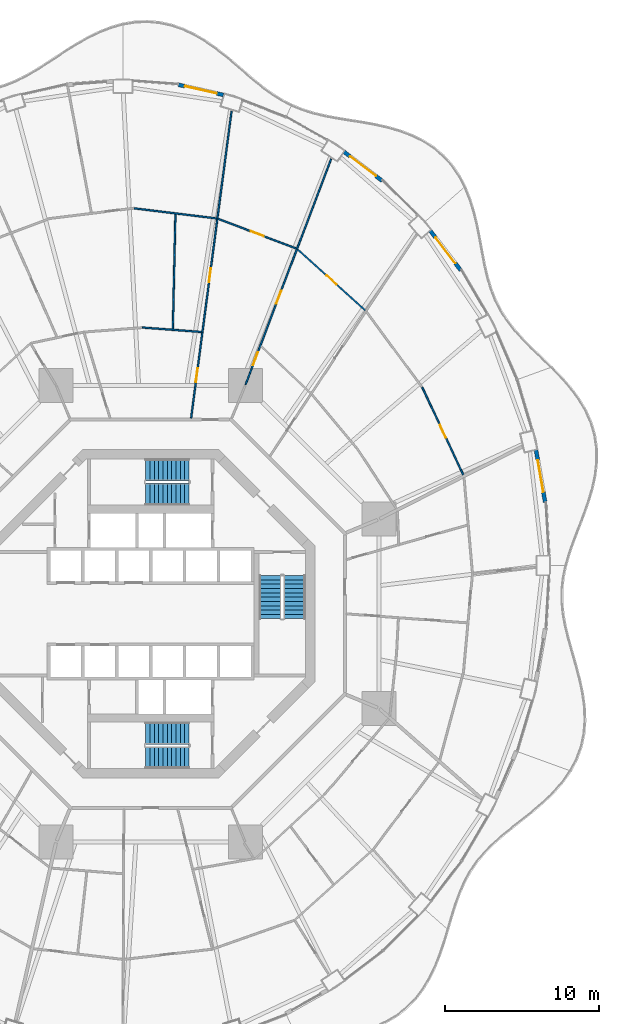
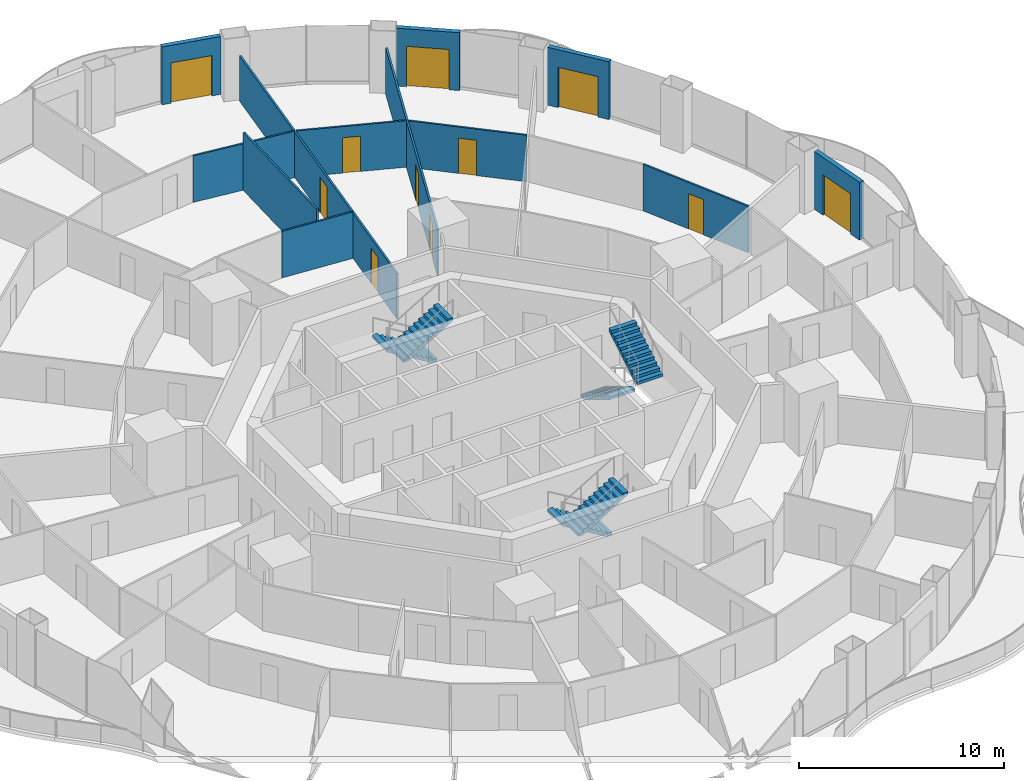
# One storey, part 19 of 22: 12 walls, 11 doors, 6 stair flights, 11 openings, 3 elements without a shape of their own.
"""IFC4 building model written with IfcOpenShell, lengths in metres."""

from ifc_helpers import new_model, si_unit, direction, frame, frame_2d, origin, place, context, subcontext, project, spatial, polyline, rectangle, outline, extrude, material, layer, layer_set, type_object, element, fill, aggregate, save


model = new_model("IFC4")

# Units and contexts
model_context = context("Model", 3, precision=1e-05, world=origin(), true_north=direction((0.0, 1.0)))
body_context = subcontext(model_context, "Body", "Model", "MODEL_VIEW")
ifc_project = project(units=[si_unit("LENGTHUNIT", "METRE"), si_unit("AREAUNIT", "SQUARE_METRE"), si_unit("VOLUMEUNIT", "CUBIC_METRE"), si_unit("PLANEANGLEUNIT", "RADIAN"), si_unit("MASSUNIT", "GRAM", prefix="KILO")], contexts=[model_context])

# Site, building, storey
site_placement = place(None, origin())
site = spatial("IfcSite", under=ifc_project, at=site_placement, CompositionType="ELEMENT")
building_placement = place(site_placement, origin())
building = spatial("IfcBuilding", under=site, at=building_placement, Name="Nagisa Residences", CompositionType="ELEMENT")
storey_placement = place(building_placement, frame((0.0, 0.0, 77.0)))
storey = spatial("IfcBuildingStorey", under=building, at=storey_placement, Name="L18", CompositionType="ELEMENT", Elevation=77.0)

# Wall, opening, door
ifc_material_1 = material(Name="Gypsum board on steel studs", Category="steel")
ifc_layer_1 = layer(ifc_material_1, 0.10009765625)
ifc_layer_set_1 = layer_set([ifc_layer_1], Name="Apartment partition 100")
wall_type_1 = type_object("IfcWallType", Name="Apartment partition 100", PredefinedType="PARTITIONING", material=ifc_layer_set_1)
wall_1_placement = place(storey_placement, frame((20.23095703125, 8.995361328125, 0.0), z_axis=(0.0, 0.0, 1.0), x_axis=(-0.424587886407, 0.905386727712, 0.0)))
wall_1 = element("IfcWall", 1, at=wall_1_placement, inside=storey, type_object=wall_type_1, Name="wall:L18:u22", PredefinedType="PARTITIONING", context=body_context, shape_type="SweptSolid", body=[
    extrude(rectangle(XDim=6.25439453125, YDim=0.10009765625, at=frame_2d((3.127197265625, 0.0))), origin(), (0.0, 0.0, 1.0), 2.761962890625),
])
opening_1_placement = place(wall_1_placement, frame((2.652099609375, 0.0, 0.0)))
opening_1 = element("IfcOpeningElement", 2, at=opening_1_placement, cuts=wall_1, Name="Opening L18-U21", PredefinedType="OPENING", context=body_context, shape_type="SweptSolid", body=[
    extrude(rectangle(XDim=0.89990234375, YDim=2.10009765625, at=frame_2d((0.449951171875, 1.050048828125))), frame((0.0, 0.06005859375, 0.0), z_axis=(0.0, -1.0, 0.0), x_axis=(1.0, 0.0, 0.0)), (0.0, 0.0, 1.0), 0.1201171875),
])
ifc_material_2 = material(Name="Timber door set", Category="wood")
door_type_1 = type_object("IfcDoorType", Name="Apartment door 900x2100", OperationType="NOTDEFINED", PredefinedType="DOOR", material=ifc_material_2)
door_1_placement = place(opening_1_placement, frame((0.89990234375, 0.0, 0.0), x_axis=(-1.0, 0.0, 0.0)))
door_1 = element("IfcDoor", 3, at=door_1_placement, inside=storey, type_object=door_type_1, Name="Door to family room, Apartment 18A", OperationType="SINGLE_SWING_RIGHT", OverallHeight=2.10009765625, OverallWidth=0.89990234375, PredefinedType="DOOR", context=body_context, shape_type="SweptSolid", body=[
    extrude(rectangle(XDim=0.89990234375, YDim=2.10009765625, at=frame_2d((0.449951171875, 1.050048828125))), frame((0.0, 0.02490234375, 0.0), z_axis=(0.0, -1.0, 0.0), x_axis=(1.0, 0.0, 0.0)), (0.0, 0.0, 1.0), 0.050048828125),
])
fill(opening_1, door_1)

wall_2_placement = place(storey_placement, frame((13.8984375, 19.625244140625, 0.0), z_axis=(0.0, 0.0, 1.0), x_axis=(-0.742400132046, 0.669956747812, 0.0)))
wall_2 = element("IfcWall", 4, at=wall_2_placement, inside=storey, type_object=wall_type_1, Name="wall:L18:u27", PredefinedType="PARTITIONING", context=body_context, shape_type="SweptSolid", body=[
    extrude(rectangle(XDim=5.9111328125, YDim=0.10009765625, at=frame_2d((2.95556640625, 0.0))), origin(), (0.0, 0.0, 1.0), 2.761962890625),
])
opening_2_placement = place(wall_2_placement, frame((2.505615234375, 0.0, 0.0)))
opening_2 = element("IfcOpeningElement", 5, at=opening_2_placement, cuts=wall_2, Name="Opening L18-U12", PredefinedType="OPENING", context=body_context, shape_type="SweptSolid", body=[
    extrude(rectangle(XDim=0.89990234375, YDim=2.10009765625, at=frame_2d((0.449951171875, 1.050048828125))), frame((0.0, 0.06005859375, 0.0), z_axis=(0.0, -1.0, 0.0), x_axis=(1.0, 0.0, 0.0)), (0.0, 0.0, 1.0), 0.1201171875),
])
door_2_placement = place(opening_2_placement, frame((0.89990234375, 0.0, 0.0), x_axis=(-1.0, 0.0, 0.0)))
door_2 = element("IfcDoor", 6, at=door_2_placement, inside=storey, type_object=door_type_1, Name="Door to master bedroom, Apartment 18A", OperationType="SINGLE_SWING_LEFT", OverallHeight=2.10009765625, OverallWidth=0.89990234375, PredefinedType="DOOR", context=body_context, shape_type="SweptSolid", body=[
    extrude(rectangle(XDim=0.89990234375, YDim=2.10009765625, at=frame_2d((0.449951171875, 1.050048828125))), frame((0.0, 0.02490234375, 0.0), z_axis=(0.0, -1.0, 0.0), x_axis=(1.0, 0.0, 0.0)), (0.0, 0.0, 1.0), 0.050048828125),
])
fill(opening_2, door_2)

# Wall, openings, doors
wall_3_placement = place(storey_placement, frame((6.140625, 14.828857421875, 0.0), z_axis=(0.0, 0.0, 1.0), x_axis=(0.354477134193, 0.935064682968, 0.0)))
wall_3 = element("IfcWall", 7, at=wall_3_placement, inside=storey, type_object=wall_type_1, Name="wall:L18:u29", PredefinedType="PARTITIONING", context=body_context, shape_type="SweptSolid", body=[
    extrude(rectangle(XDim=15.6259765625, YDim=0.10009765625, at=frame_2d((7.81298828125, 0.0))), origin(), (0.0, 0.0, 1.0), 2.761962890625),
])
opening_3_placement = place(wall_3_placement, frame((1.349609375, 0.0, 0.0)))
opening_3 = element("IfcOpeningElement", 8, at=opening_3_placement, cuts=wall_3, Name="Opening L18-U02", PredefinedType="OPENING", context=body_context, shape_type="SweptSolid", body=[
    extrude(rectangle(XDim=0.89990234375, YDim=2.10009765625, at=frame_2d((0.449951171875, 1.050048828125))), frame((0.0, 0.06005859375, 0.0), z_axis=(0.0, -1.0, 0.0), x_axis=(1.0, 0.0, 0.0)), (0.0, 0.0, 1.0), 0.1201171875),
])
opening_4_placement = place(wall_3_placement, frame((5.605712890625, 0.0, 0.0)))
opening_4 = element("IfcOpeningElement", 9, at=opening_4_placement, cuts=wall_3, Name="Opening L18-U07", PredefinedType="OPENING", context=body_context, shape_type="SweptSolid", body=[
    extrude(rectangle(XDim=0.89990234375, YDim=2.10009765625, at=frame_2d((0.449951171875, 1.050048828125))), frame((0.0, 0.06005859375, 0.0), z_axis=(0.0, -1.0, 0.0), x_axis=(1.0, 0.0, 0.0)), (0.0, 0.0, 1.0), 0.1201171875),
])
door_3_placement = place(opening_3_placement, frame((0.89990234375, 0.0, 0.0), x_axis=(-1.0, 0.0, 0.0)))
door_3 = element("IfcDoor", 10, at=door_3_placement, inside=storey, type_object=door_type_1, Name="Door to family bathroom, Apartment 18A", OperationType="SINGLE_SWING_LEFT", OverallHeight=2.10009765625, OverallWidth=0.89990234375, PredefinedType="DOOR", context=body_context, shape_type="SweptSolid", body=[
    extrude(rectangle(XDim=0.89990234375, YDim=2.10009765625, at=frame_2d((0.449951171875, 1.050048828125))), frame((0.0, 0.02490234375, 0.0), z_axis=(0.0, -1.0, 0.0), x_axis=(1.0, 0.0, 0.0)), (0.0, 0.0, 1.0), 0.050048828125),
])
fill(opening_3, door_3)
door_4_placement = place(opening_4_placement, frame((0.89990234375, 0.0, 0.0), x_axis=(-1.0, 0.0, 0.0)))
door_4 = element("IfcDoor", 11, at=door_4_placement, inside=storey, type_object=door_type_1, Name="Door to kitchen, Apartment 18A", OperationType="SINGLE_SWING_RIGHT", OverallHeight=2.10009765625, OverallWidth=0.89990234375, PredefinedType="DOOR", context=body_context, shape_type="SweptSolid", body=[
    extrude(rectangle(XDim=0.89990234375, YDim=2.10009765625, at=frame_2d((0.449951171875, 1.050048828125))), frame((0.0, 0.02490234375, 0.0), z_axis=(0.0, -1.0, 0.0), x_axis=(1.0, 0.0, 0.0)), (0.0, 0.0, 1.0), 0.050048828125),
])
fill(opening_4, door_4)

# Wall, opening, door
wall_4_placement = place(storey_placement, frame((9.42626953125, 23.63671875, 0.0), z_axis=(0.0, 0.0, 1.0), x_axis=(-0.93461405629, 0.355663557011, 0.0)))
wall_4 = element("IfcWall", 12, at=wall_4_placement, inside=storey, type_object=wall_type_1, Name="wall:L18:u30", PredefinedType="PARTITIONING", context=body_context, shape_type="SweptSolid", body=[
    extrude(rectangle(XDim=5.416748046875, YDim=0.10009765625, at=frame_2d((2.70849609375, 0.0))), origin(), (0.0, 0.0, 1.0), 2.761962890625),
])
opening_5_placement = place(wall_4_placement, frame((2.25830078125, 0.0, 0.0)))
opening_5 = element("IfcOpeningElement", 13, at=opening_5_placement, cuts=wall_4, Name="Opening L18-U13", PredefinedType="OPENING", context=body_context, shape_type="SweptSolid", body=[
    extrude(rectangle(XDim=0.89990234375, YDim=2.10009765625, at=frame_2d((0.449951171875, 1.050048828125))), frame((0.0, 0.06005859375, 0.0), z_axis=(0.0, -1.0, 0.0), x_axis=(1.0, 0.0, 0.0)), (0.0, 0.0, 1.0), 0.1201171875),
])
door_5_placement = place(opening_5_placement, frame((0.89990234375, 0.0, 0.0), x_axis=(-1.0, 0.0, 0.0)))
door_5 = element("IfcDoor", 14, at=door_5_placement, inside=storey, type_object=door_type_1, Name="Door to family room, Apartment 18A", OperationType="SINGLE_SWING_RIGHT", OverallHeight=2.10009765625, OverallWidth=0.89990234375, PredefinedType="DOOR", context=body_context, shape_type="SweptSolid", body=[
    extrude(rectangle(XDim=0.89990234375, YDim=2.10009765625, at=frame_2d((0.449951171875, 1.050048828125))), frame((0.0, 0.02490234375, 0.0), z_axis=(0.0, -1.0, 0.0), x_axis=(1.0, 0.0, 0.0)), (0.0, 0.0, 1.0), 0.050048828125),
])
fill(opening_5, door_5)

# Wall, openings, doors
wall_5_placement = place(storey_placement, frame((2.615234375, 12.663818359375, 0.0), z_axis=(0.0, 0.0, 1.0), x_axis=(0.130614967904, 0.99143316979, 0.0)))
wall_5 = element("IfcWall", 15, at=wall_5_placement, inside=storey, type_object=wall_type_1, Name="wall:L18:u31", PredefinedType="PARTITIONING", context=body_context, shape_type="SweptSolid", body=[
    extrude(rectangle(XDim=20.03369140625, YDim=0.10009765625, at=frame_2d((10.016845703125, 0.0))), origin(), (0.0, 0.0, 1.0), 2.68701171875),
])
opening_6_placement = place(wall_5_placement, frame((2.358642578125, 0.0, 0.0)))
opening_6 = element("IfcOpeningElement", 16, at=opening_6_placement, cuts=wall_5, Name="Opening L18-U03", PredefinedType="OPENING", context=body_context, shape_type="SweptSolid", body=[
    extrude(rectangle(XDim=0.89990234375, YDim=2.10009765625, at=frame_2d((0.449951171875, 1.050048828125))), frame((0.0, 0.06005859375, 0.0), z_axis=(0.0, -1.0, 0.0), x_axis=(1.0, 0.0, 0.0)), (0.0, 0.0, 1.0), 0.1201171875),
])
opening_7_placement = place(wall_5_placement, frame((8.873046875, 0.0, 0.0)))
opening_7 = element("IfcOpeningElement", 17, at=opening_7_placement, cuts=wall_5, Name="Opening L18-U08", PredefinedType="OPENING", context=body_context, shape_type="SweptSolid", body=[
    extrude(rectangle(XDim=0.89990234375, YDim=2.10009765625, at=frame_2d((0.449951171875, 1.050048828125))), frame((0.0, 0.06005859375, 0.0), z_axis=(0.0, -1.0, 0.0), x_axis=(1.0, 0.0, 0.0)), (0.0, 0.0, 1.0), 0.1201171875),
])
door_6_placement = place(opening_6_placement, origin())
door_6 = element("IfcDoor", 18, at=door_6_placement, inside=storey, type_object=door_type_1, Name="Door to store, Apartment 18A", OperationType="SINGLE_SWING_LEFT", OverallHeight=2.10009765625, OverallWidth=0.89990234375, PredefinedType="DOOR", context=body_context, shape_type="SweptSolid", body=[
    extrude(rectangle(XDim=0.89990234375, YDim=2.10009765625, at=frame_2d((0.449951171875, 1.050048828125))), frame((0.0, 0.02490234375, 0.0), z_axis=(0.0, -1.0, 0.0), x_axis=(1.0, 0.0, 0.0)), (0.0, 0.0, 1.0), 0.050048828125),
])
fill(opening_6, door_6)
door_7_placement = place(opening_7_placement, origin())
door_7 = element("IfcDoor", 19, at=door_7_placement, inside=storey, type_object=door_type_1, Name="Door to family bathroom, Apartment 18A", OperationType="SINGLE_SWING_RIGHT", OverallHeight=2.10009765625, OverallWidth=0.89990234375, PredefinedType="DOOR", context=body_context, shape_type="SweptSolid", body=[
    extrude(rectangle(XDim=0.89990234375, YDim=2.10009765625, at=frame_2d((0.449951171875, 1.050048828125))), frame((0.0, 0.02490234375, 0.0), z_axis=(0.0, -1.0, 0.0), x_axis=(1.0, 0.0, 0.0)), (0.0, 0.0, 1.0), 0.050048828125),
])
fill(opening_7, door_7)

# Walls
wall_6_placement = place(storey_placement, frame((3.299072265625, 18.23681640625, 0.0), z_axis=(0.0, 0.0, 1.0), x_axis=(-0.997152243414, 0.075414875552, 0.0)))
element("IfcWall", 20, at=wall_6_placement, inside=storey, type_object=wall_type_1, Name="wall:L18:u32", PredefinedType="PARTITIONING", context=body_context, shape_type="SweptSolid", body=[
    extrude(rectangle(XDim=3.845947265625, YDim=0.10009765625, at=frame_2d((1.9228515625, 0.0))), origin(), (0.0, 0.0, 1.0), 2.761962890625),
])
wall_7_placement = place(storey_placement, frame((4.267333984375, 25.587158203125, 0.0), z_axis=(0.0, 0.0, 1.0), x_axis=(-0.992576206119, 0.121624319302, 0.0)))
element("IfcWall", 21, at=wall_7_placement, inside=storey, type_object=wall_type_1, Name="wall:L18:u33", PredefinedType="PARTITIONING", context=body_context, shape_type="SweptSolid", body=[
    extrude(rectangle(XDim=5.37353515625, YDim=0.10009765625, at=frame_2d((2.686767578125, 0.0))), origin(), (0.0, 0.0, 1.0), 2.761962890625),
])
wall_8_placement = place(storey_placement, frame((1.4326171875, 18.42822265625, 0.0), z_axis=(0.0, 0.0, 1.0), x_axis=(0.022419421812, 0.999748653175, 0.0)))
element("IfcWall", 22, at=wall_8_placement, inside=storey, type_object=wall_type_1, Name="wall:L18:u34", PredefinedType="PARTITIONING", context=body_context, shape_type="SweptSolid", body=[
    extrude(rectangle(XDim=7.437744140625, YDim=0.10009765625, at=frame_2d((3.71875, 0.0))), origin(), (0.0, 0.0, 1.0), 3.43994140625),
])

# Wall, opening, door
ifc_material_3 = material(Name="Precast concrete C40/50", Category="concrete")
ifc_layer_2 = layer(ifc_material_3, 0.25)
ifc_layer_set_2 = layer_set([ifc_layer_2], Name="BALCONY DOOR WALL 250")
wall_type_2 = type_object("IfcWallType", Name="BALCONY DOOR WALL 250", PredefinedType="SOLIDWALL", material=ifc_layer_set_2)
wall_9_placement = place(storey_placement, frame((24.940185546875, 10.612548828125, 0.0), z_axis=(0.0, 0.0, 1.0), x_axis=(0.172164316671, -0.985068245385, 0.0)))
wall_9 = element("IfcWall", 23, at=wall_9_placement, inside=storey, type_object=wall_type_2, Name="wall:L18:bay01", PredefinedType="SOLIDWALL", context=body_context, shape_type="SweptSolid", body=[
    extrude(rectangle(XDim=3.454345703125, YDim=0.25, at=frame_2d((1.72705078125, 0.0))), origin(), (0.0, 0.0, 1.0), 3.43994140625),
])
opening_8_placement = place(wall_9_placement, frame((0.67724609375, 0.0, 0.0)))
opening_8 = element("IfcOpeningElement", 24, at=opening_8_placement, cuts=wall_9, Name="Opening BD-L18-01", PredefinedType="OPENING", context=body_context, shape_type="SweptSolid", body=[
    extrude(rectangle(XDim=2.10009765625, YDim=2.39990234375, at=frame_2d((1.050048828125, 1.199951171875))), frame((0.0, 0.135009765625, 0.0), z_axis=(0.0, -1.0, 0.0), x_axis=(1.0, 0.0, 0.0)), (0.0, 0.0, 1.0), 0.27001953125),
])
ifc_material_4 = material(Name="Aluminium and clear glass", Category="aluminium")
door_type_2 = type_object("IfcDoorType", Name="BALCONY SLIDING DOOR 2100x2400", OperationType="SLIDING_TO_LEFT", PredefinedType="DOOR", material=ifc_material_4)
door_8_placement = place(opening_8_placement, origin())
door_8 = element("IfcDoor", 25, at=door_8_placement, inside=storey, type_object=door_type_2, Name="door:L18:bay01", OperationType="SLIDING_TO_LEFT", OverallHeight=2.39990234375, OverallWidth=2.10009765625, PredefinedType="DOOR", context=body_context, shape_type="SweptSolid", body=[
    extrude(rectangle(XDim=2.10009765625, YDim=2.39990234375, at=frame_2d((1.050048828125, 1.199951171875))), frame((0.0, 0.02490234375, 0.0), z_axis=(0.0, -1.0, 0.0), x_axis=(1.0, 0.0, 0.0)), (0.0, 0.0, 1.0), 0.050048828125),
])
fill(opening_8, door_8)

wall_10_placement = place(storey_placement, frame((18.0810546875, 24.81103515625, 0.0), z_axis=(0.0, 0.0, 1.0), x_axis=(0.610458970322, -0.792047880847, 0.0)))
wall_10 = element("IfcWall", 26, at=wall_10_placement, inside=storey, type_object=wall_type_2, Name="wall:L18:bay05", PredefinedType="SOLIDWALL", context=body_context, shape_type="SweptSolid", body=[
    extrude(rectangle(XDim=3.262939453125, YDim=0.25, at=frame_2d((1.63134765625, 0.0))), origin(), (0.0, 0.0, 1.0), 3.43994140625),
])
opening_9_placement = place(wall_10_placement, frame((0.58154296875, 0.0, 0.0)))
opening_9 = element("IfcOpeningElement", 27, at=opening_9_placement, cuts=wall_10, Name="Opening BD-L18-02", PredefinedType="OPENING", context=body_context, shape_type="SweptSolid", body=[
    extrude(rectangle(XDim=2.10009765625, YDim=2.39990234375, at=frame_2d((1.050048828125, 1.199951171875))), frame((0.0, 0.135009765625, 0.0), z_axis=(0.0, -1.0, 0.0), x_axis=(1.0, 0.0, 0.0)), (0.0, 0.0, 1.0), 0.27001953125),
])
door_9_placement = place(opening_9_placement, origin())
door_9 = element("IfcDoor", 28, at=door_9_placement, inside=storey, type_object=door_type_2, Name="door:L18:bay05", OperationType="SLIDING_TO_LEFT", OverallHeight=2.39990234375, OverallWidth=2.10009765625, PredefinedType="DOOR", context=body_context, shape_type="SweptSolid", body=[
    extrude(rectangle(XDim=2.10009765625, YDim=2.39990234375, at=frame_2d((1.050048828125, 1.199951171875))), frame((0.0, 0.02490234375, 0.0), z_axis=(0.0, -1.0, 0.0), x_axis=(1.0, 0.0, 0.0)), (0.0, 0.0, 1.0), 0.050048828125),
])
fill(opening_9, door_9)

wall_11_placement = place(storey_placement, frame((12.4892578125, 29.91748046875, 0.0), z_axis=(0.0, 0.0, 1.0), x_axis=(0.796037575978, -0.605247203736, 0.0)))
wall_11 = element("IfcWall", 29, at=wall_11_placement, inside=storey, type_object=wall_type_2, Name="wall:L18:bay07", PredefinedType="SOLIDWALL", context=body_context, shape_type="SweptSolid", body=[
    extrude(rectangle(XDim=3.1337890625, YDim=0.25, at=frame_2d((1.56689453125, 0.0))), origin(), (0.0, 0.0, 1.0), 3.43994140625),
])
opening_10_placement = place(wall_11_placement, frame((0.51708984375, 0.0, 0.0)))
opening_10 = element("IfcOpeningElement", 30, at=opening_10_placement, cuts=wall_11, Name="Opening BD-L18-03", PredefinedType="OPENING", context=body_context, shape_type="SweptSolid", body=[
    extrude(rectangle(XDim=2.10009765625, YDim=2.39990234375, at=frame_2d((1.050048828125, 1.199951171875))), frame((0.0, 0.135009765625, 0.0), z_axis=(0.0, -1.0, 0.0), x_axis=(1.0, 0.0, 0.0)), (0.0, 0.0, 1.0), 0.27001953125),
])
door_10_placement = place(opening_10_placement, origin())
door_10 = element("IfcDoor", 31, at=door_10_placement, inside=storey, type_object=door_type_2, Name="door:L18:bay07", OperationType="SLIDING_TO_LEFT", OverallHeight=2.39990234375, OverallWidth=2.10009765625, PredefinedType="DOOR", context=body_context, shape_type="SweptSolid", body=[
    extrude(rectangle(XDim=2.10009765625, YDim=2.39990234375, at=frame_2d((1.050048828125, 1.199951171875))), frame((0.0, 0.02490234375, 0.0), z_axis=(0.0, -1.0, 0.0), x_axis=(1.0, 0.0, 0.0)), (0.0, 0.0, 1.0), 0.050048828125),
])
fill(opening_10, door_10)

wall_12_placement = place(storey_placement, frame((1.787353515625, 34.2412109375, 0.0), z_axis=(0.0, 0.0, 1.0), x_axis=(0.975317607872, -0.220806620767, 0.0)))
wall_12 = element("IfcWall", 32, at=wall_12_placement, inside=storey, type_object=wall_type_2, Name="wall:L18:bay10", PredefinedType="SOLIDWALL", context=body_context, shape_type="SweptSolid", body=[
    extrude(rectangle(XDim=2.9931640625, YDim=0.25, at=frame_2d((1.49658203125, 0.0))), origin(), (0.0, 0.0, 1.0), 3.43994140625),
])
opening_11_placement = place(wall_12_placement, frame((0.446533203125, 0.0, 0.0)))
opening_11 = element("IfcOpeningElement", 33, at=opening_11_placement, cuts=wall_12, Name="Opening BD-L18-04", PredefinedType="OPENING", context=body_context, shape_type="SweptSolid", body=[
    extrude(rectangle(XDim=2.10009765625, YDim=2.39990234375, at=frame_2d((1.050048828125, 1.199951171875))), frame((0.0, 0.135009765625, 0.0), z_axis=(0.0, -1.0, 0.0), x_axis=(1.0, 0.0, 0.0)), (0.0, 0.0, 1.0), 0.27001953125),
])
door_11_placement = place(opening_11_placement, origin())
door_11 = element("IfcDoor", 34, at=door_11_placement, inside=storey, type_object=door_type_2, Name="door:L18:bay10", OperationType="SLIDING_TO_LEFT", OverallHeight=2.39990234375, OverallWidth=2.10009765625, PredefinedType="DOOR", context=body_context, shape_type="SweptSolid", body=[
    extrude(rectangle(XDim=2.10009765625, YDim=2.39990234375, at=frame_2d((1.050048828125, 1.199951171875))), frame((0.0, 0.02490234375, 0.0), z_axis=(0.0, -1.0, 0.0), x_axis=(1.0, 0.0, 0.0)), (0.0, 0.0, 1.0), 0.050048828125),
])
fill(opening_11, door_11)

# Stair, stair flights
ifc_material_5 = material(Name="Concrete C60", Category="concrete")
stair_type = type_object("IfcStairType", Name="Exit stair", PredefinedType="HALF_TURN_STAIR", material=ifc_material_5)
stair_1_placement = place(storey_placement, origin())
stair_1 = element("IfcStair", 35, at=stair_1_placement, inside=storey, type_object=stair_type, Name="L18 Exit stair E", PredefinedType="HALF_TURN_STAIR")
ifc_material_6 = material(Name="Concrete C60", Category="concrete")
stair_flight_type = type_object("IfcStairFlightType", Name="Exit stair flight", PredefinedType="STRAIGHT", material=ifc_material_6)
stair_flight_1_placement = place(storey_placement, frame((7.737060546875, 2.47509765625, 0.0), z_axis=(0.0, 0.0, 1.0), x_axis=(0.0, -1.0, 0.0)))
stair_flight_1 = element("IfcStairFlight", 36, at=stair_flight_1_placement, type_object=stair_flight_type, Name="ST-E flight 1", NumberOfRisers=11, NumberOfTreads=10, PredefinedType="STRAIGHT", RiserHeight=0.168181818, TreadLength=0.28, context=body_context, shape_type="SweptSolid", body=[
    extrude(outline(polyline([(0.0, 0.0), (0.0, 0.168212890625), (0.280029296875, 0.168212890625), (0.280029296875, 0.33642578125), (0.56005859375, 0.33642578125), (0.56005859375, 0.504638671875), (0.840087890625, 0.504638671875), (0.840087890625, 0.672607421875), (1.1201171875, 0.672607421875), (1.1201171875, 0.8408203125), (1.39990234375, 0.8408203125), (1.39990234375, 1.009033203125), (1.679931640625, 1.009033203125), (1.679931640625, 1.17724609375), (1.9599609375, 1.17724609375), (1.9599609375, 1.345458984375), (2.239990234375, 1.345458984375), (2.239990234375, 1.513671875), (2.52001953125, 1.513671875), (2.52001953125, 1.681884765625), (2.800048828125, 1.681884765625), (2.800048828125, 1.85009765625), (2.800048828125, 1.5068359375), (0.291015625, 0.0), (0.0, 0.0)])), frame((0.0, 0.71240234375, 0.0), z_axis=(0.0, -1.0, 0.0), x_axis=(1.0, 0.0, 0.0)), (0.0, 0.0, 1.0), 1.425048828125),
])
stair_flight_2_placement = place(storey_placement, frame((9.31201171875, -0.324951171875, 1.85009765625), z_axis=(0.0, 0.0, 1.0), x_axis=(0.0, 1.0, 0.0)))
stair_flight_2 = element("IfcStairFlight", 37, at=stair_flight_2_placement, type_object=stair_flight_type, Name="ST-E flight 2", NumberOfRisers=11, NumberOfTreads=10, PredefinedType="STRAIGHT", RiserHeight=0.168181818, TreadLength=0.28, context=body_context, shape_type="SweptSolid", body=[
    extrude(outline(polyline([(0.0, 0.0), (0.0, 0.168212890625), (0.280029296875, 0.168212890625), (0.280029296875, 0.33642578125), (0.56005859375, 0.33642578125), (0.56005859375, 0.504638671875), (0.840087890625, 0.504638671875), (0.840087890625, 0.672607421875), (1.1201171875, 0.672607421875), (1.1201171875, 0.8408203125), (1.39990234375, 0.8408203125), (1.39990234375, 1.009033203125), (1.679931640625, 1.009033203125), (1.679931640625, 1.17724609375), (1.9599609375, 1.17724609375), (1.9599609375, 1.345458984375), (2.239990234375, 1.345458984375), (2.239990234375, 1.513671875), (2.52001953125, 1.513671875), (2.52001953125, 1.681884765625), (2.800048828125, 1.681884765625), (2.800048828125, 1.85009765625), (2.800048828125, 1.5068359375), (0.291015625, 0.0), (0.0, 0.0)])), frame((0.0, 0.71240234375, 0.0), z_axis=(0.0, -1.0, 0.0), x_axis=(1.0, 0.0, 0.0)), (0.0, 0.0, 1.0), 1.425048828125),
])
aggregate(stair_1, [stair_flight_1, stair_flight_2])

stair_2_placement = place(storey_placement, origin())
stair_2 = element("IfcStair", 38, at=stair_2_placement, inside=storey, type_object=stair_type, Name="L18 Exit stair N", PredefinedType="HALF_TURN_STAIR")
stair_flight_3_placement = place(storey_placement, frame((2.47509765625, 9.31201171875, 0.0), z_axis=(0.0, 0.0, 1.0), x_axis=(-1.0, 0.0, 0.0)))
stair_flight_3 = element("IfcStairFlight", 39, at=stair_flight_3_placement, type_object=stair_flight_type, Name="ST-N flight 1", NumberOfRisers=11, NumberOfTreads=10, PredefinedType="STRAIGHT", RiserHeight=0.168181818, TreadLength=0.28, context=body_context, shape_type="SweptSolid", body=[
    extrude(outline(polyline([(0.0, 0.0), (0.0, 0.168212890625), (0.280029296875, 0.168212890625), (0.280029296875, 0.33642578125), (0.56005859375, 0.33642578125), (0.56005859375, 0.504638671875), (0.840087890625, 0.504638671875), (0.840087890625, 0.672607421875), (1.1201171875, 0.672607421875), (1.1201171875, 0.8408203125), (1.39990234375, 0.8408203125), (1.39990234375, 1.009033203125), (1.679931640625, 1.009033203125), (1.679931640625, 1.17724609375), (1.9599609375, 1.17724609375), (1.9599609375, 1.345458984375), (2.239990234375, 1.345458984375), (2.239990234375, 1.513671875), (2.52001953125, 1.513671875), (2.52001953125, 1.681884765625), (2.800048828125, 1.681884765625), (2.800048828125, 1.85009765625), (2.800048828125, 1.5068359375), (0.291015625, 0.0), (0.0, 0.0)])), frame((0.0, 0.71240234375, 0.0), z_axis=(0.0, -1.0, 0.0), x_axis=(1.0, 0.0, 0.0)), (0.0, 0.0, 1.0), 1.425048828125),
])
stair_flight_4_placement = place(storey_placement, frame((-0.324951171875, 7.737060546875, 1.85009765625), z_axis=(0.0, 0.0, 1.0), x_axis=(1.0, 0.0, 0.0)))
stair_flight_4 = element("IfcStairFlight", 40, at=stair_flight_4_placement, type_object=stair_flight_type, Name="ST-N flight 2", NumberOfRisers=11, NumberOfTreads=10, PredefinedType="STRAIGHT", RiserHeight=0.168181818, TreadLength=0.28, context=body_context, shape_type="SweptSolid", body=[
    extrude(outline(polyline([(0.0, 0.0), (0.0, 0.168212890625), (0.280029296875, 0.168212890625), (0.280029296875, 0.33642578125), (0.56005859375, 0.33642578125), (0.56005859375, 0.504638671875), (0.840087890625, 0.504638671875), (0.840087890625, 0.672607421875), (1.1201171875, 0.672607421875), (1.1201171875, 0.8408203125), (1.39990234375, 0.8408203125), (1.39990234375, 1.009033203125), (1.679931640625, 1.009033203125), (1.679931640625, 1.17724609375), (1.9599609375, 1.17724609375), (1.9599609375, 1.345458984375), (2.239990234375, 1.345458984375), (2.239990234375, 1.513671875), (2.52001953125, 1.513671875), (2.52001953125, 1.681884765625), (2.800048828125, 1.681884765625), (2.800048828125, 1.85009765625), (2.800048828125, 1.5068359375), (0.291015625, 0.0), (0.0, 0.0)])), frame((0.0, 0.71240234375, 0.0), z_axis=(0.0, -1.0, 0.0), x_axis=(1.0, 0.0, 0.0)), (0.0, 0.0, 1.0), 1.425048828125),
])
aggregate(stair_2, [stair_flight_3, stair_flight_4])

stair_3_placement = place(storey_placement, origin())
stair_3 = element("IfcStair", 41, at=stair_3_placement, inside=storey, type_object=stair_type, Name="L18 Exit stair S", PredefinedType="HALF_TURN_STAIR")
stair_flight_5_placement = place(storey_placement, frame((2.47509765625, -7.737060546875, 0.0), z_axis=(0.0, 0.0, 1.0), x_axis=(-1.0, 0.0, 0.0)))
stair_flight_5 = element("IfcStairFlight", 42, at=stair_flight_5_placement, type_object=stair_flight_type, Name="ST-S flight 1", NumberOfRisers=11, NumberOfTreads=10, PredefinedType="STRAIGHT", RiserHeight=0.168181818, TreadLength=0.28, context=body_context, shape_type="SweptSolid", body=[
    extrude(outline(polyline([(0.0, 0.0), (0.0, 0.168212890625), (0.280029296875, 0.168212890625), (0.280029296875, 0.33642578125), (0.56005859375, 0.33642578125), (0.56005859375, 0.504638671875), (0.840087890625, 0.504638671875), (0.840087890625, 0.672607421875), (1.1201171875, 0.672607421875), (1.1201171875, 0.8408203125), (1.39990234375, 0.8408203125), (1.39990234375, 1.009033203125), (1.679931640625, 1.009033203125), (1.679931640625, 1.17724609375), (1.9599609375, 1.17724609375), (1.9599609375, 1.345458984375), (2.239990234375, 1.345458984375), (2.239990234375, 1.513671875), (2.52001953125, 1.513671875), (2.52001953125, 1.681884765625), (2.800048828125, 1.681884765625), (2.800048828125, 1.85009765625), (2.800048828125, 1.5068359375), (0.291015625, 0.0), (0.0, 0.0)])), frame((0.0, 0.71240234375, 0.0), z_axis=(0.0, -1.0, 0.0), x_axis=(1.0, 0.0, 0.0)), (0.0, 0.0, 1.0), 1.425048828125),
])
stair_flight_6_placement = place(storey_placement, frame((-0.324951171875, -9.31201171875, 1.85009765625), z_axis=(0.0, 0.0, 1.0), x_axis=(1.0, 0.0, 0.0)))
stair_flight_6 = element("IfcStairFlight", 43, at=stair_flight_6_placement, type_object=stair_flight_type, Name="ST-S flight 2", NumberOfRisers=11, NumberOfTreads=10, PredefinedType="STRAIGHT", RiserHeight=0.168181818, TreadLength=0.28, context=body_context, shape_type="SweptSolid", body=[
    extrude(outline(polyline([(0.0, 0.0), (0.0, 0.168212890625), (0.280029296875, 0.168212890625), (0.280029296875, 0.33642578125), (0.56005859375, 0.33642578125), (0.56005859375, 0.504638671875), (0.840087890625, 0.504638671875), (0.840087890625, 0.672607421875), (1.1201171875, 0.672607421875), (1.1201171875, 0.8408203125), (1.39990234375, 0.8408203125), (1.39990234375, 1.009033203125), (1.679931640625, 1.009033203125), (1.679931640625, 1.17724609375), (1.9599609375, 1.17724609375), (1.9599609375, 1.345458984375), (2.239990234375, 1.345458984375), (2.239990234375, 1.513671875), (2.52001953125, 1.513671875), (2.52001953125, 1.681884765625), (2.800048828125, 1.681884765625), (2.800048828125, 1.85009765625), (2.800048828125, 1.5068359375), (0.291015625, 0.0), (0.0, 0.0)])), frame((0.0, 0.71240234375, 0.0), z_axis=(0.0, -1.0, 0.0), x_axis=(1.0, 0.0, 0.0)), (0.0, 0.0, 1.0), 1.425048828125),
])
aggregate(stair_3, [stair_flight_5, stair_flight_6])

save(model, "model.ifc")
